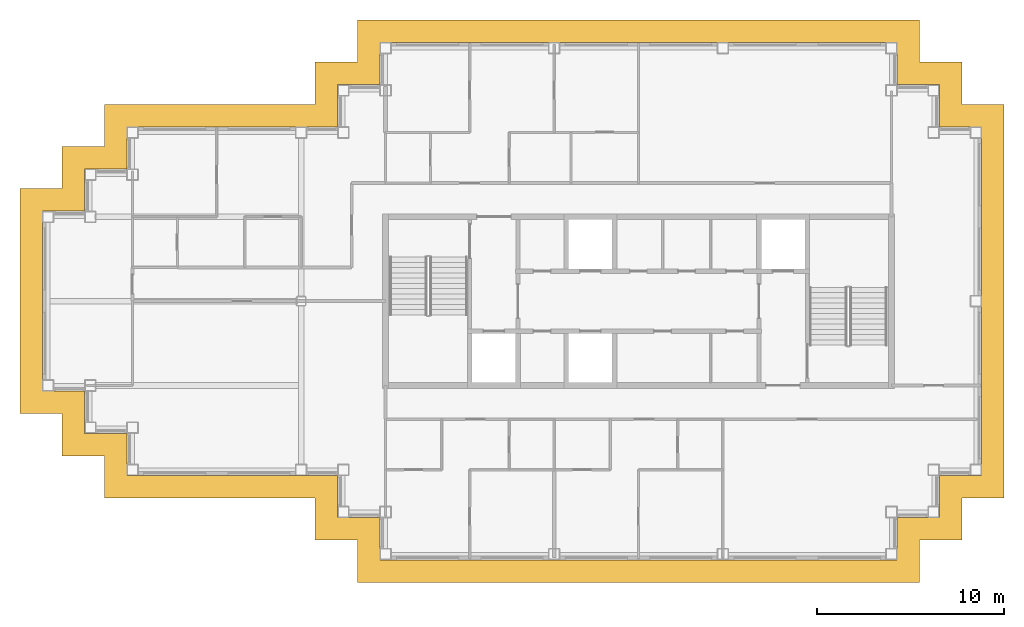
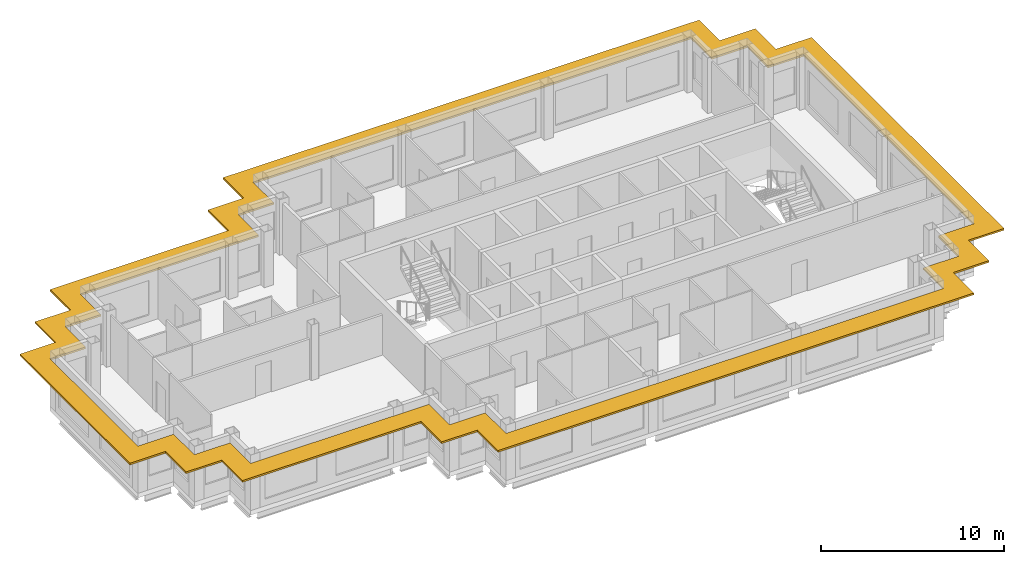
# One storey, part 10 of 11: 1 shading device.
"""IFC4 building model written with IfcOpenShell, lengths in metres."""

from ifc_helpers import new_model, si_unit, direction, frame, origin, place, context, subcontext, project, spatial, polyline, outline, extrude, material, layer, layer_set, type_object, element, save


model = new_model("IFC4")

# Units and contexts
model_context = context("Model", 3, precision=1e-05, world=origin(), true_north=direction((0.0, 1.0)))
body_context = subcontext(model_context, "Body", "Model", "MODEL_VIEW")
ifc_project = project(units=[si_unit("LENGTHUNIT", "METRE"), si_unit("AREAUNIT", "SQUARE_METRE"), si_unit("VOLUMEUNIT", "CUBIC_METRE"), si_unit("PLANEANGLEUNIT", "RADIAN"), si_unit("MASSUNIT", "GRAM", prefix="KILO")], contexts=[model_context])

# Site, building, storey
site_placement = place(None, origin())
site = spatial("IfcSite", under=ifc_project, at=site_placement, CompositionType="ELEMENT")
building_placement = place(site_placement, origin())
building = spatial("IfcBuilding", under=site, at=building_placement, Name="Caravel Reach Hotel and Residences", CompositionType="ELEMENT")
storey_placement = place(building_placement, frame((0.0, 0.0, 256.39990234375)))
storey = spatial("IfcBuildingStorey", under=building, at=storey_placement, Name="L65", CompositionType="ELEMENT", Elevation=256.39990234375)

# Shading device
ifc_material = material(Name="Black powder-coated aluminium", Category="aluminium")
ifc_layer = layer(ifc_material, 0.1201171875)
ifc_layer_set = layer_set([ifc_layer], Name="SS1 Sunshade band 1200")
shading_device_type = type_object("IfcShadingDeviceType", Name="SS1 Sunshade band 1200", PredefinedType="USERDEFINED", material=ifc_layer_set)
shading_device_placement = place(storey_placement, frame((0.0, 0.0, 3.0400390625)))
element("IfcShadingDevice", 1, at=shading_device_placement, inside=storey, type_object=shading_device_type, Name="Sunshade L65 1", ObjectType="SUNSHADE", PredefinedType="USERDEFINED", context=body_context, shape_type="SweptSolid", body=[
    extrude(outline(polyline([(3.0, 16.5), (14.25, 16.5), (14.25, 14.25), (16.5, 14.25), (16.5, 12.0), (46.5, 12.0), (46.5, 14.25), (48.75, 14.25), (48.75, 16.5), (51.0, 16.5), (51.0, 37.5), (48.75, 37.5), (48.75, 39.75), (46.5, 39.75), (46.5, 42.0), (16.5, 42.0), (16.5, 39.75), (14.25, 39.75), (14.25, 37.5), (3.0, 37.5), (3.0, 35.25), (0.75, 35.25), (0.75, 33.0), (-1.5, 33.0), (-1.5, 21.0), (0.75, 21.0), (0.75, 18.75), (3.0, 18.75), (3.0, 16.5)]), holes=[polyline([(15.449951171875, 15.449951171875), (15.449951171875, 17.699951171875), (4.199951171875, 17.699951171875), (4.199951171875, 19.949951171875), (1.949951171875, 19.949951171875), (1.949951171875, 22.199951171875), (-0.300048828125, 22.199951171875), (-0.300048828125, 31.800048828125), (1.949951171875, 31.800048828125), (1.949951171875, 34.050048828125), (4.199951171875, 34.050048828125), (4.199951171875, 36.300048828125), (15.449951171875, 36.300048828125), (15.449951171875, 38.550048828125), (17.699951171875, 38.550048828125), (17.699951171875, 40.800048828125), (45.300048828125, 40.800048828125), (45.300048828125, 38.550048828125), (47.550048828125, 38.550048828125), (47.550048828125, 36.300048828125), (49.800048828125, 36.300048828125), (49.800048828125, 17.699951171875), (47.550048828125, 17.699951171875), (47.550048828125, 15.449951171875), (45.300048828125, 15.449951171875), (45.300048828125, 13.199951171875), (17.699951171875, 13.199951171875), (17.699951171875, 15.449951171875), (15.449951171875, 15.449951171875)])]), origin(), (0.0, 0.0, 1.0), 0.1201171875),
])

save(model, "model.ifc")
